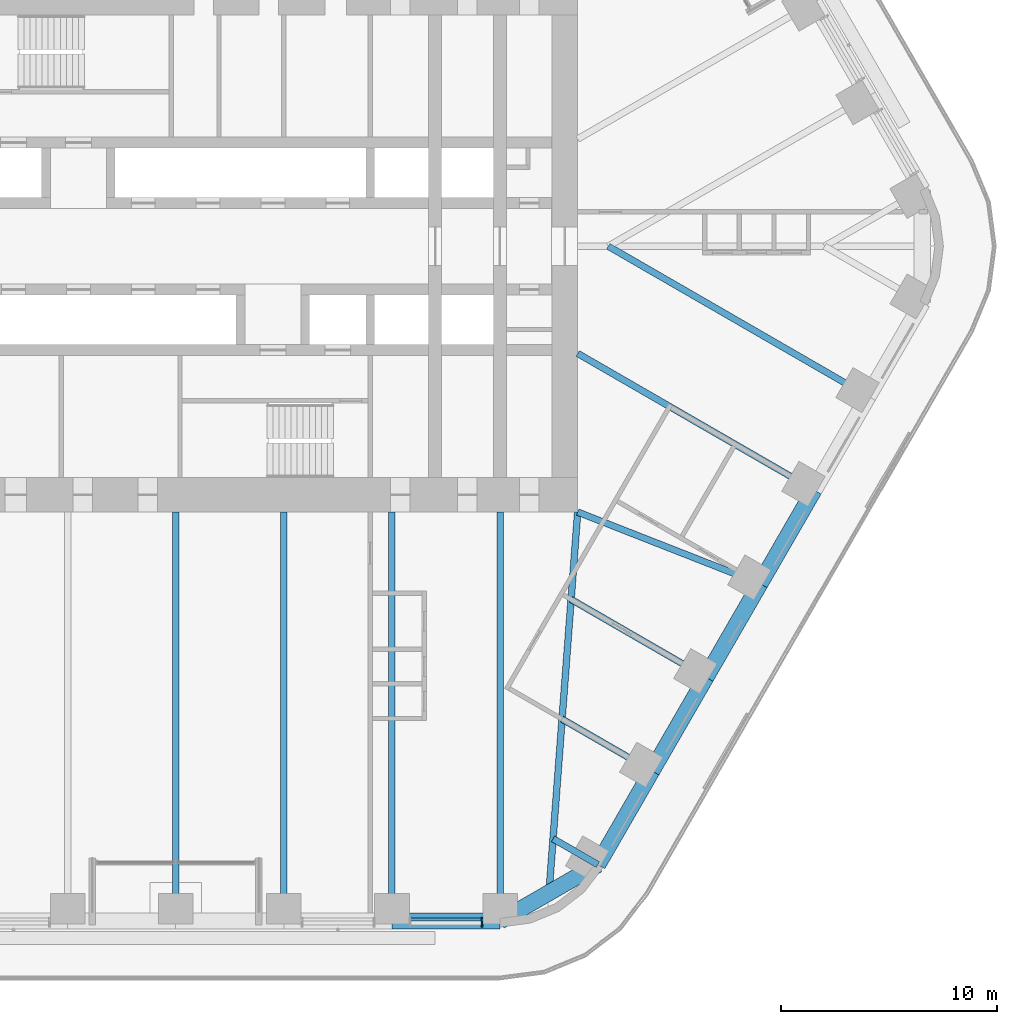
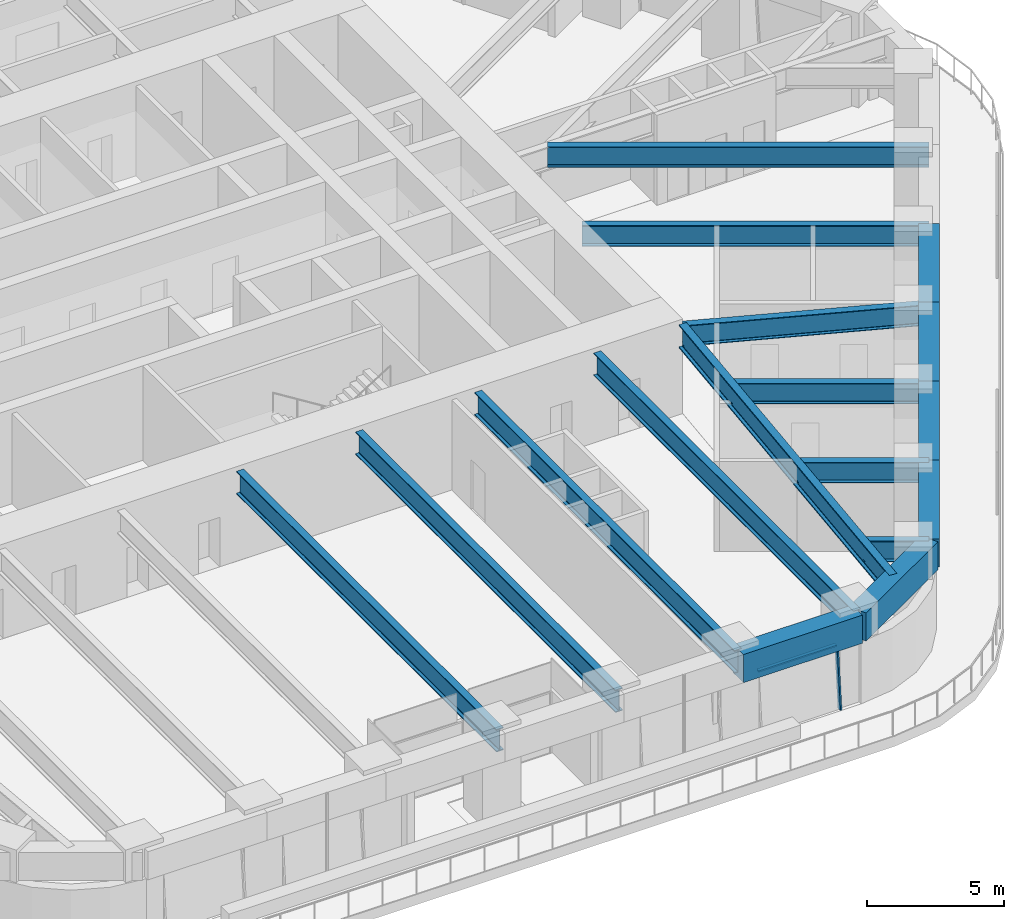
# One storey, part 5 of 24: 17 beams, 2 members, 1 element without a shape of its own.
"""IFC4 building model written with IfcOpenShell, lengths in metres."""

import ifcopenshell
import ifcopenshell.guid

model = None  # the IFC model being written
_history = None  # IfcOwnerHistory: only IFC2X3 demands one
_inside = {}  # id of a spatial element -> (the spatial element, [elements in it])
_under = {}  # id of a project, library or spatial element -> (it, [spatial elements below it])
_declared = {}  # id of a project -> (the project, [libraries it declares])
_typed = {}  # id of a type object -> (the type object, [elements of that type])
_made_of = {}  # id of a material, layer set ... -> (it, [elements and type objects made of it])


def new_model(schema):
    """Start an empty IFC model of exactly this schema.

    Asked for "IFC4X3", IfcOpenShell would pick the latest addendum, in which some entities
    have other attributes; the version numbers below select the first issue.
    IFC2X3 requires an IfcOwnerHistory on every rooted entity: one is made here for all.
    """
    global model, _history
    if schema == "IFC4X3":
        model = ifcopenshell.file(schema_version=(4, 3, 0, 0))
    else:
        model = ifcopenshell.file(schema=schema)
    _inside.clear()
    _under.clear()
    _declared.clear()
    _typed.clear()
    _made_of.clear()
    _history = None
    if model.schema == "IFC2X3":
        org = make("IfcOrganization", Name="unknown")
        user = make(
            "IfcPersonAndOrganization",
            ThePerson=make("IfcPerson", FamilyName="unknown"),
            TheOrganization=org,
        )
        app = make(
            "IfcApplication",
            ApplicationDeveloper=org,
            Version="unknown",
            ApplicationFullName="unknown",
            ApplicationIdentifier="unknown",
        )
        _history = make(
            "IfcOwnerHistory",
            OwningUser=user,
            OwningApplication=app,
            ChangeAction="ADDED",
            CreationDate=0,
        )
    return model


def make(cls, **values):
    """One entity of the class cls with the attributes given. An attribute that is None is left unset."""
    return model.create_entity(
        cls, **{name: value for name, value in values.items() if value is not None}
    )


def rooted(cls, **values):
    """An entity with a GlobalId (a new one), such as an element, a storey or a relation."""
    return make(cls, GlobalId=ifcopenshell.guid.new(), OwnerHistory=_history, **values)


def si_unit(unit_type, name, prefix=None):
    """IfcSIUnit, for example si_unit("LENGTHUNIT", "METRE", prefix="MILLI")."""
    return make("IfcSIUnit", UnitType=unit_type, Prefix=prefix, Name=name)


def assignment(units):
    """IfcUnitAssignment: the units of a project."""
    return None if units is None else make("IfcUnitAssignment", Units=units)


def point(xyz):
    """IfcCartesianPoint."""
    return None if xyz is None else make("IfcCartesianPoint", Coordinates=xyz)


def direction(xyz):
    """IfcDirection."""
    return None if xyz is None else make("IfcDirection", DirectionRatios=xyz)


def frame(location, z_axis=None, x_axis=None):
    """IfcAxis2Placement3D, a coordinate frame: its origin and axes. An axis left out is left unset."""
    return make(
        "IfcAxis2Placement3D",
        Location=point(location),
        Axis=direction(z_axis),
        RefDirection=direction(x_axis),
    )


def frame_2d(location, x_axis=None):
    """IfcAxis2Placement2D, a coordinate frame in the plane: its origin and x axis."""
    return make(
        "IfcAxis2Placement2D", Location=point(location), RefDirection=direction(x_axis)
    )


def origin():
    """The frame at (0, 0, 0) with its axes left unset."""
    return frame((0.0, 0.0, 0.0))


def origin_2d():
    """The frame at (0, 0) in the plane with its x axis left unset."""
    return frame_2d((0.0, 0.0))


def place(relative_to, where):
    """IfcLocalPlacement: puts the frame where relative to a parent placement (None: the world)."""
    return make(
        "IfcLocalPlacement", PlacementRelTo=relative_to, RelativePlacement=where
    )


def context(
    kind, dimensions, precision=None, world=None, true_north=None, identifier=None
):
    """IfcGeometricRepresentationContext, for example the 3D "Model" context."""
    return make(
        "IfcGeometricRepresentationContext",
        ContextIdentifier=identifier,
        ContextType=kind,
        CoordinateSpaceDimension=dimensions,
        Precision=precision,
        WorldCoordinateSystem=world,
        TrueNorth=true_north,
    )


def subcontext(parent, identifier, kind, view, scale=None):
    """IfcGeometricRepresentationSubContext, for example "Body" below "Model"."""
    return make(
        "IfcGeometricRepresentationSubContext",
        ContextIdentifier=identifier,
        ContextType=kind,
        ParentContext=parent,
        TargetScale=scale,
        TargetView=view,
    )


def project(units=None, contexts=None):
    """IfcProject with its units and contexts."""
    return rooted(
        "IfcProject",
        Name="project",
        RepresentationContexts=contexts,
        UnitsInContext=assignment(units),
    )


def spatial(cls, under=None, at=None, **own):
    """A site, building, storey or space (cls), placed at a placement, below another one or the project."""
    s = rooted(cls, ObjectPlacement=at, **own)
    if under is not None:
        _under.setdefault(under.id(), (under, []))[1].append(s)
    return s


def profile(cls, at=None, kind="AREA", **sizes):
    """A parametric profile (cls). Its sizes go by their IFC names, for example OverallWidth=200.0."""
    return make(cls, ProfileType=kind, Position=at, **sizes)


def rectangle(**sizes):
    """IfcRectangleProfileDef."""
    return profile("IfcRectangleProfileDef", **sizes)


def i_section(**sizes):
    """IfcIShapeProfileDef."""
    return profile("IfcIShapeProfileDef", **sizes)


def extrude(swept, where, along, depth):
    """IfcExtrudedAreaSolid: the profile swept, set in the frame where, extruded along a direction by depth."""
    return make(
        "IfcExtrudedAreaSolid",
        SweptArea=swept,
        Position=where,
        ExtrudedDirection=direction(along),
        Depth=depth,
    )


def shape(context_of_items, identifier, shape_type, items):
    """IfcShapeRepresentation: the items that make up one representation, for example the "Body"."""
    return make(
        "IfcShapeRepresentation",
        ContextOfItems=context_of_items,
        RepresentationIdentifier=identifier,
        RepresentationType=shape_type,
        Items=items,
    )


def material(Name=None, Category=None):
    """IfcMaterial."""
    return make("IfcMaterial", Name=Name, Category=Category)


def material_profile(
    of_material, cross_section, Name=None, Category=None, Priority=None
):
    """IfcMaterialProfile: a cross section and its material."""
    return make(
        "IfcMaterialProfile",
        Name=Name,
        Material=of_material,
        Profile=cross_section,
        Priority=Priority,
        Category=Category,
    )


def profile_set(profiles, Name=None, composite=None):
    """IfcMaterialProfileSet."""
    return make(
        "IfcMaterialProfileSet",
        Name=Name,
        MaterialProfiles=profiles,
        CompositeProfile=composite,
    )


def made_of(thing, what):
    """Note that an element or type object is made of a material, layer set ...; save() writes the relation."""
    if what is not None:
        _made_of.setdefault(what.id(), (what, []))[1].append(thing)
    return thing


def type_object(cls, material=None, **own):
    """A type object (cls), such as IfcWallType, which elements share."""
    return made_of(rooted(cls, **own), material)


def element(
    cls,
    number,
    at=None,
    inside=None,
    cuts=None,
    type_object=None,
    material=None,
    context=None,
    identifier="Body",
    shape_type=None,
    held_by="IfcProductDefinitionShape",
    body=None,
    shapes=None,
    **own,
):
    """One element of the class cls, such as IfcWall. Its Tag is "e" and its number.

    at: its placement. inside: the storey or other place that contains it. cuts: it is an
    opening in that element (IfcRelVoidsElement). A single representation is given by context,
    identifier, shape_type and body (its items); several are given by shapes. held_by: the class
    of the entity that holds the representations. save() writes the other relations.
    """
    e = rooted(cls, Tag="e%d" % number, ObjectPlacement=at, **own)
    if body is not None:
        shapes = [shape(context, identifier, shape_type, body)]
    if shapes is not None:
        e.Representation = make(held_by, Representations=shapes)
    if inside is not None:
        _inside.setdefault(inside.id(), (inside, []))[1].append(e)
    if cuts is not None:
        rooted(
            "IfcRelVoidsElement", RelatingBuildingElement=cuts, RelatedOpeningElement=e
        )
    if type_object is not None:
        _typed.setdefault(type_object.id(), (type_object, []))[1].append(e)
    return made_of(e, material)


def aggregate(whole, parts):
    """IfcRelAggregates: a whole, such as a stair, and the parts it consists of."""
    return rooted("IfcRelAggregates", RelatingObject=whole, RelatedObjects=parts)


def save(model, path):
    """Write the relations noted so far, then the file.

    IfcRelAggregates (storeys below a building ...), IfcRelContainedInSpatialStructure (elements
    in a storey), IfcRelDefinesByType, IfcRelAssociatesMaterial and IfcRelDeclares: one each for
    every whole, place, type object, material and project.
    """
    for whole, parts in _under.values():
        aggregate(whole, parts)
    for where, things in _inside.values():
        rooted(
            "IfcRelContainedInSpatialStructure",
            RelatedElements=things,
            RelatingStructure=where,
        )
    for kind, things in _typed.values():
        rooted("IfcRelDefinesByType", RelatedObjects=things, RelatingType=kind)
    for what, things in _made_of.values():
        rooted("IfcRelAssociatesMaterial", RelatedObjects=things, RelatingMaterial=what)
    for by, libraries in _declared.values():
        rooted("IfcRelDeclares", RelatingContext=by, RelatedDefinitions=libraries)
    model.write(path)


model = new_model("IFC4")

# Units and contexts
model_context = context("Model", 3, precision=1e-05, world=origin(), true_north=direction((0.0, 1.0)))
body_context = subcontext(model_context, "Body", "Model", "MODEL_VIEW")
ifc_project = project(units=[si_unit("LENGTHUNIT", "METRE"), si_unit("AREAUNIT", "SQUARE_METRE"), si_unit("VOLUMEUNIT", "CUBIC_METRE"), si_unit("PLANEANGLEUNIT", "RADIAN"), si_unit("MASSUNIT", "GRAM", prefix="KILO")], contexts=[model_context])

# Site, building, storey
site_placement = place(None, origin())
site = spatial("IfcSite", under=ifc_project, at=site_placement, CompositionType="ELEMENT")
building_placement = place(site_placement, origin())
building = spatial("IfcBuilding", under=site, at=building_placement, Name="Tarfa Lantern Tower", CompositionType="ELEMENT")
storey_placement = place(building_placement, frame((0.0, 0.0, 165.699951171875)))
storey = spatial("IfcBuildingStorey", under=building, at=storey_placement, Name="L37", CompositionType="ELEMENT", Elevation=165.699951171875)

# Curtain wall, members
ifc_material_1 = material(Name="Aluminium framed curtain wall", Category="aluminium")
curtain_wall_type = type_object("IfcCurtainWallType", Name="CW2 CANTED GLAZING MID ZONE 2750", PredefinedType="USERDEFINED", material=ifc_material_1)
curtain_wall_placement = place(storey_placement, origin())
curtain_wall = element("IfcCurtainWall", 1, at=curtain_wall_placement, inside=storey, type_object=curtain_wall_type, Name="CW2 SB L37", ObjectType="CURTAIN WALL", PredefinedType="USERDEFINED")
ifc_material_2 = material(Name="Aluminium mullion", Category="aluminium")
ifc_material_profile_1 = material_profile(ifc_material_2, rectangle(XDim=0.06494140625, YDim=0.199951171875, at=origin_2d()), Name="AL MULLION 65x200")
ifc_profile_set_1 = profile_set([ifc_material_profile_1], Name="Aluminium mullion")
member_type_1 = type_object("IfcMemberType", Name="CWM1 MULLION 65x200", PredefinedType="MULLION", material=ifc_profile_set_1)
member_1_placement = place(storey_placement, frame((14.1787109375, -31.39990234375, 0.0), z_axis=(0.0, 0.090535746043, 0.995893206468), x_axis=(-1.0, 0.0, 0.0)))
member_1 = element("IfcMember", 2, at=member_1_placement, type_object=member_type_1, Name="CW2 mullion 2", PredefinedType="MULLION", context=body_context, shape_type="SweptSolid", body=[
    extrude(rectangle(XDim=0.06494140625, YDim=0.199951171875, at=origin_2d()), origin(), (0.0, 0.0, 1.0), 2.76123046875),
])
ifc_material_3 = material(Name="Aluminium transom", Category="aluminium")
ifc_material_profile_2 = material_profile(ifc_material_3, rectangle(XDim=0.14990234375, YDim=0.06494140625, at=origin_2d()), Name="AL TRANSOM 150x65")
ifc_profile_set_2 = profile_set([ifc_material_profile_2], Name="Aluminium transom")
member_type_2 = type_object("IfcMemberType", Name="CWT1 TRANSOM 150x65", PredefinedType="USERDEFINED", material=ifc_profile_set_2)
member_2_placement = place(storey_placement, frame((10.872314453125, -31.153076171875, 2.717529296875), z_axis=(1.0, 0.0, 0.0), x_axis=(0.0, 1.0, 0.0)))
member_2 = element("IfcMember", 3, at=member_2_placement, type_object=member_type_2, Name="CW2 transom 1.2", ObjectType="TRANSOM", PredefinedType="USERDEFINED", context=body_context, shape_type="SweptSolid", body=[
    extrude(rectangle(XDim=0.14990234375, YDim=0.06494140625, at=origin_2d()), origin(), (0.0, 0.0, 1.0), 3.273681640625),
])
aggregate(curtain_wall, [member_1, member_2])

# Beams
ifc_material_4 = material(Name="Concrete C80/95", Category="concrete")
ifc_material_profile_3 = material_profile(ifc_material_4, rectangle(XDim=0.75, YDim=1.25, at=origin_2d()), Name="RC 750x1250")
ifc_profile_set_3 = profile_set([ifc_material_profile_3], Name="Concrete C80/95")
beam_type_1 = type_object("IfcBeamType", Name="EB2 RC 750x1250", PredefinedType="SPANDREL", material=ifc_profile_set_3)
beam_1_placement = place(storey_placement, frame((10.00732421875, -31.219970703125, 3.375), z_axis=(1.0, 0.0, 0.0), x_axis=(0.0, 1.0, 0.0)))
element("IfcBeam", 4, at=beam_1_placement, inside=storey, type_object=beam_type_1, Name="Edge beam S5", PredefinedType="SPANDREL", context=body_context, shape_type="SweptSolid", body=[
    extrude(rectangle(XDim=0.75, YDim=1.25, at=origin_2d()), origin(), (0.0, 0.0, 1.0), 5.003662109375),
])
beam_2_placement = place(storey_placement, frame((15.010986328125, -31.219970703125, 3.375), z_axis=(0.86604150238, 0.499972115377, 0.0), x_axis=(-0.499972115377, 0.86604150238, 0.0)))
element("IfcBeam", 5, at=beam_2_placement, inside=storey, type_object=beam_type_1, Name="Edge beam S6", PredefinedType="SPANDREL", context=body_context, shape_type="SweptSolid", body=[
    extrude(rectangle(XDim=0.75, YDim=1.25, at=origin_2d()), origin(), (0.0, 0.0, 1.0), 5.219970703125),
])
beam_3_placement = place(storey_placement, frame((19.53173828125, -28.610107421875, 3.375), z_axis=(0.500001197378, 0.866024712477, 0.0), x_axis=(-0.866024712477, 0.500001197378, 0.0)))
element("IfcBeam", 6, at=beam_3_placement, inside=storey, type_object=beam_type_1, Name="Edge beam SE0", PredefinedType="SPANDREL", context=body_context, shape_type="SweptSolid", body=[
    extrude(rectangle(XDim=0.75, YDim=1.25, at=origin_2d()), origin(), (0.0, 0.0, 1.0), 5.00390625),
])
for number, where, z_axis, x_axis, name in (
    (7, (22.03369140625, -24.276611328125, 3.375), (0.49998573051, 0.866033642122, 0.0), (-0.866033642122, 0.49998573051, 0.0), "Edge beam SE1"),
    (8, (24.535400390625, -19.943359375, 3.375), (0.500022324899, 0.866012514114, 0.0), (-0.866012514114, 0.500022324899, 0.0), "Edge beam SE2"),
    (9, (27.037353515625, -15.610107421875, 3.375), (0.499964603504, 0.866045838996, 0.0), (-0.866045838996, 0.499964603504, 0.0), "Edge beam SE3"),
):
    element("IfcBeam", number, at=place(storey_placement, frame(where, z_axis=z_axis, x_axis=x_axis)), inside=storey, type_object=beam_type_1, Name=name, PredefinedType="SPANDREL", context=body_context, shape_type="SweptSolid", body=[
        extrude(rectangle(XDim=0.75, YDim=1.25, at=origin_2d()), origin(), (0.0, 0.0, 1.0), 5.003662109375),
    ])
ifc_material_5 = material(Name="Steel S460M", Category="steel")
ifc_material_profile_4 = material_profile(ifc_material_5, i_section(OverallWidth=0.302001953125, OverallDepth=1.008056640625, WebThickness=0.02099609375, FlangeThickness=0.0400390625, FilletRadius=0.030029296875, at=origin_2d()), Name="UB1016x305x349")
ifc_profile_set_4 = profile_set([ifc_material_profile_4], Name="Steel S460M")
beam_type_2 = type_object("IfcBeamType", Name="UB1016x305x349", PredefinedType="BEAM", material=ifc_profile_set_4)
for number, where, z_axis, x_axis, name in (
    (10, (0.0, -31.219970703125, 3.49609375), (0.0, 1.0, 0.0), (-1.0, 0.0, 0.0), "Floor beam S3"),
    (11, (5.003662109375, -31.219970703125, 3.49609375), (0.0, 1.0, 0.0), (-1.0, 0.0, 0.0), "Floor beam S4"),
    (12, (10.00732421875, -31.219970703125, 3.49609375), (0.0, 1.0, 0.0), (-1.0, 0.0, 0.0), "Floor beam S5"),
    (13, (15.010986328125, -31.219970703125, 3.49609375), (0.0, 1.0, 0.0), (-1.0, 0.0, 0.0), "Floor beam S6"),
):
    element("IfcBeam", number, at=place(storey_placement, frame(where, z_axis=z_axis, x_axis=x_axis)), inside=storey, type_object=beam_type_2, Name=name, PredefinedType="BEAM", context=body_context, shape_type="SweptSolid", body=[
        extrude(i_section(OverallWidth=0.302001953125, OverallDepth=1.008056640625, WebThickness=0.02099609375, FlangeThickness=0.0400390625, FilletRadius=0.030029296875, at=origin_2d()), origin(), (0.0, 0.0, 1.0), 18.919921875),
    ])
ifc_material_profile_5 = material_profile(ifc_material_5, i_section(OverallWidth=0.30859375, OverallDepth=1.036376953125, WebThickness=0.030029296875, FlangeThickness=0.05419921875, FilletRadius=0.030029296875, at=origin_2d()), Name="UB1016x305x487")
ifc_profile_set_5 = profile_set([ifc_material_profile_5], Name="Steel S460M")
beam_type_3 = type_object("IfcBeamType", Name="UB1016x305x487", PredefinedType="BEAM", material=ifc_profile_set_5)
beam_4_placement = place(storey_placement, frame((18.60009765625, -12.300048828125, 3.48193359375), z_axis=(-0.075211516041, -0.99716760269, 0.0), x_axis=(0.99716760269, -0.075211516041, 0.0)))
element("IfcBeam", 14, at=beam_4_placement, inside=storey, type_object=beam_type_3, Name="Hip girder SE", PredefinedType="BEAM", context=body_context, shape_type="SweptSolid", body=[
    extrude(i_section(OverallWidth=0.30859375, OverallDepth=1.036376953125, WebThickness=0.030029296875, FlangeThickness=0.05419921875, FilletRadius=0.030029296875, at=origin_2d()), origin(), (0.0, 0.0, 1.0), 17.6650390625),
])
ifc_material_profile_6 = material_profile(ifc_material_5, i_section(OverallWidth=0.305419921875, OverallDepth=0.91845703125, WebThickness=0.017333984375, FlangeThickness=0.02783203125, FilletRadius=0.01904296875, at=origin_2d()), Name="UB914x305x253")
ifc_profile_set_6 = profile_set([ifc_material_profile_6], Name="Steel S460M")
beam_type_4 = type_object("IfcBeamType", Name="UB914x305x253", PredefinedType="BEAM", material=ifc_profile_set_6)
beam_5_placement = place(storey_placement, frame((19.53173828125, -28.610107421875, 3.540771484375), z_axis=(-0.865998640954, 0.500046351717, 0.0), x_axis=(-0.500046351717, -0.865998640954, 0.0)))
element("IfcBeam", 15, at=beam_5_placement, inside=storey, type_object=beam_type_4, Name="Floor beam SE0", PredefinedType="BEAM", context=body_context, shape_type="SweptSolid", body=[
    extrude(i_section(OverallWidth=0.305419921875, OverallDepth=0.91845703125, WebThickness=0.017333984375, FlangeThickness=0.02783203125, FilletRadius=0.01904296875, at=origin_2d()), origin(), (0.0, 0.0, 1.0), 2.392333984375),
])
beam_6_placement = place(storey_placement, frame((22.03369140625, -24.276611328125, 3.540771484375), z_axis=(-0.866030550462, 0.499991085587, 0.0), x_axis=(-0.499991085587, -0.866030550462, 0.0)))
element("IfcBeam", 16, at=beam_6_placement, inside=storey, type_object=beam_type_4, Name="Floor beam SE1", PredefinedType="BEAM", context=body_context, shape_type="SweptSolid", body=[
    extrude(i_section(OverallWidth=0.305419921875, OverallDepth=0.91845703125, WebThickness=0.017333984375, FlangeThickness=0.02783203125, FilletRadius=0.01904296875, at=origin_2d()), origin(), (0.0, 0.0, 1.0), 4.798828125),
])
beam_7_placement = place(storey_placement, frame((24.535400390625, -19.943359375, 3.540771484375), z_axis=(-0.86602647304, 0.499998147991, 0.0), x_axis=(-0.499998147991, -0.86602647304, 0.0)))
element("IfcBeam", 17, at=beam_7_placement, inside=storey, type_object=beam_type_4, Name="Floor beam SE2", PredefinedType="BEAM", context=body_context, shape_type="SweptSolid", body=[
    extrude(i_section(OverallWidth=0.305419921875, OverallDepth=0.91845703125, WebThickness=0.017333984375, FlangeThickness=0.02783203125, FilletRadius=0.01904296875, at=origin_2d()), origin(), (0.0, 0.0, 1.0), 7.20556640625),
])
beam_8_placement = place(storey_placement, frame((27.037353515625, -15.610107421875, 3.540771484375), z_axis=(-0.930923282782, 0.365214788274, 0.0), x_axis=(-0.365214788274, -0.930923282782, 0.0)))
element("IfcBeam", 18, at=beam_8_placement, inside=storey, type_object=beam_type_4, Name="Floor beam SE3", PredefinedType="BEAM", context=body_context, shape_type="SweptSolid", body=[
    extrude(i_section(OverallWidth=0.305419921875, OverallDepth=0.91845703125, WebThickness=0.017333984375, FlangeThickness=0.02783203125, FilletRadius=0.01904296875, at=origin_2d()), origin(), (0.0, 0.0, 1.0), 9.063232421875),
])
beam_9_placement = place(storey_placement, frame((29.5390625, -11.276611328125, 3.540771484375), z_axis=(-0.866023362995, 0.500003534735, 0.0), x_axis=(-0.500003534735, -0.866023362995, 0.0)))
element("IfcBeam", 19, at=beam_9_placement, inside=storey, type_object=beam_type_4, Name="Floor beam SE4", PredefinedType="BEAM", context=body_context, shape_type="SweptSolid", body=[
    extrude(i_section(OverallWidth=0.305419921875, OverallDepth=0.91845703125, WebThickness=0.017333984375, FlangeThickness=0.02783203125, FilletRadius=0.01904296875, at=origin_2d()), origin(), (0.0, 0.0, 1.0), 12.63134765625),
])
beam_10_placement = place(storey_placement, frame((32.041015625, -6.943359375, 3.540771484375), z_axis=(-0.866023096411, 0.500003996466, 0.0), x_axis=(-0.500003996466, -0.866023096411, 0.0)))
element("IfcBeam", 20, at=beam_10_placement, inside=storey, type_object=beam_type_4, Name="Floor beam SE5", PredefinedType="BEAM", context=body_context, shape_type="SweptSolid", body=[
    extrude(i_section(OverallWidth=0.305419921875, OverallDepth=0.91845703125, WebThickness=0.017333984375, FlangeThickness=0.02783203125, FilletRadius=0.01904296875, at=origin_2d()), origin(), (0.0, 0.0, 1.0), 13.88671875),
])

save(model, "model.ifc")
